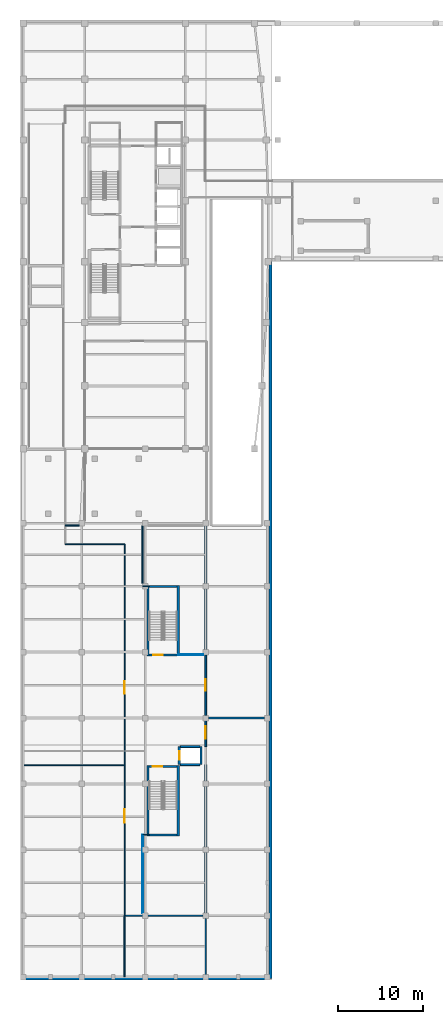
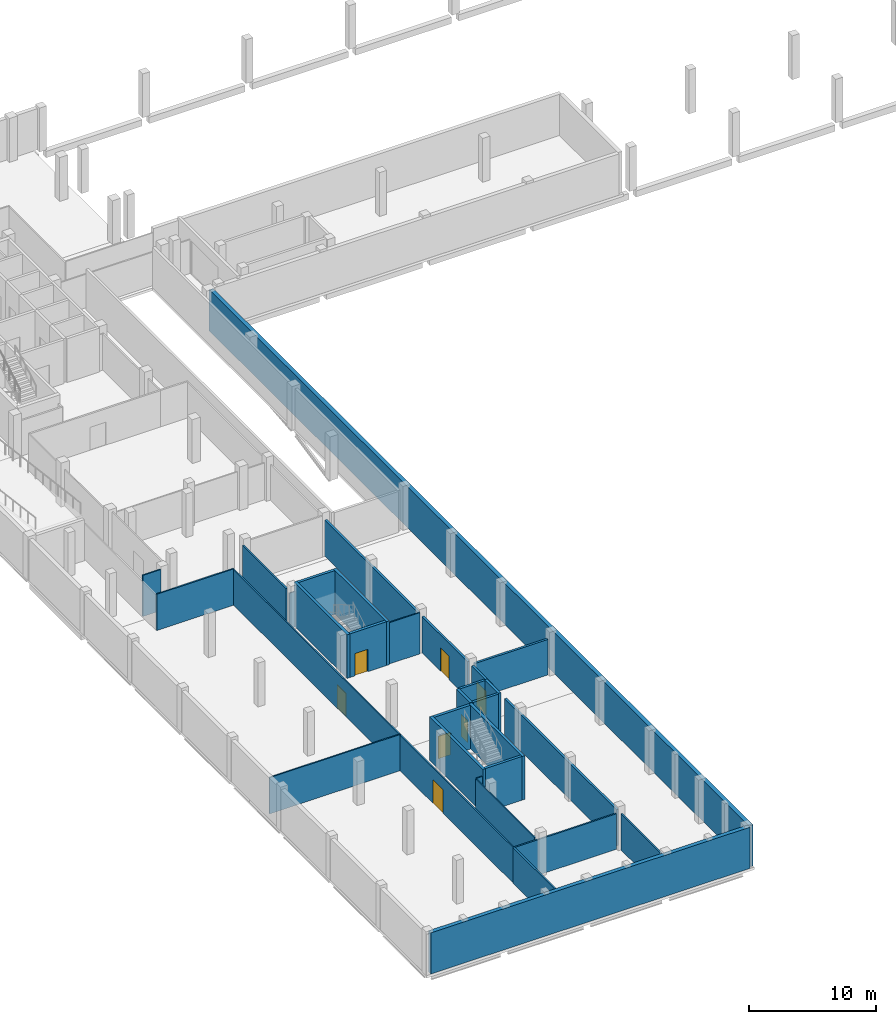
# One storey, part 5 of 15: 32 walls, 7 doors, 7 openings.
"""IFC4 building model written with IfcOpenShell, lengths in metres."""

from ifc_helpers import new_model, si_unit, direction, frame, frame_2d, origin, place, context, subcontext, project, spatial, rectangle, extrude, material, layer, layer_set, type_object, element, fill, save


model = new_model("IFC4")

# Units and contexts
model_context = context("Model", 3, precision=1e-05, world=origin(), true_north=direction((0.0, 1.0)))
body_context = subcontext(model_context, "Body", "Model", "MODEL_VIEW")
ifc_project = project(units=[si_unit("LENGTHUNIT", "METRE"), si_unit("AREAUNIT", "SQUARE_METRE"), si_unit("VOLUMEUNIT", "CUBIC_METRE"), si_unit("PLANEANGLEUNIT", "RADIAN"), si_unit("MASSUNIT", "GRAM", prefix="KILO")], contexts=[model_context])

# Site, building, storey
site_placement = place(None, origin())
site = spatial("IfcSite", under=ifc_project, at=site_placement, CompositionType="ELEMENT")
building_placement = place(site_placement, origin())
building = spatial("IfcBuilding", under=site, at=building_placement, Name="Quillay Park Conservatory", CompositionType="ELEMENT")
storey_placement = place(building_placement, frame((0.0, 0.0, -4.199951171875)))
storey = spatial("IfcBuildingStorey", under=building, at=storey_placement, Name="B1", CompositionType="ELEMENT", Elevation=-4.199951171875)

# Walls
ifc_material_1 = material(Name="Steel-Stud Acoustic Gypsum Board Partition", Category="steel")
ifc_layer_1 = layer(ifc_material_1, 0.10009765625)
ifc_layer_set_1 = layer_set([ifc_layer_1], Name="ACOUSTIC GYPSUM PARTITION 100 (Steel-Stud Acoustic Gypsum Board Partition)")
wall_type_1 = type_object("IfcWallType", Name="ACOUSTIC GYPSUM PARTITION 100", PredefinedType="PARTITIONING", material=ifc_layer_set_1)
wall_1_placement = place(storey_placement, frame((14.679931640625, 46.780029296875, 0.0), z_axis=(0.0, 0.0, 1.0), x_axis=(1.0, 0.0, 0.0)))
element("IfcWall", 1, at=wall_1_placement, inside=storey, type_object=wall_type_1, Name="B1 South Spine ST-V2 Closure", PredefinedType="PARTITIONING", context=body_context, shape_type="SweptSolid", body=[
    extrude(rectangle(XDim=0.77001953125, YDim=0.10009765625, at=frame_2d((0.385009765625, 0.0))), origin(), (0.0, 0.0, 1.0), 3.40087890625),
])
ifc_material_2 = material(Name="Steel-Stud Acoustic Gypsum Board Partition", Category="steel")
ifc_layer_2 = layer(ifc_material_2, 0.10498046875)
ifc_layer_set_2 = layer_set([ifc_layer_2], Name="ACOUSTIC GYPSUM PARTITION 105 (Steel-Stud Acoustic Gypsum Board Partition)")
wall_type_2 = type_object("IfcWallType", Name="ACOUSTIC GYPSUM PARTITION 105", PredefinedType="PARTITIONING", material=ifc_layer_set_2)
wall_2_placement = place(storey_placement, frame((14.679931640625, 17.3798828125, 0.0), z_axis=(0.0, 0.0, 1.0), x_axis=(1.0, 0.0, 0.0)))
element("IfcWall", 2, at=wall_2_placement, inside=storey, type_object=wall_type_2, Name="B1 South Spine ST-V1 Closure", PredefinedType="PARTITIONING", context=body_context, shape_type="SweptSolid", body=[
    extrude(rectangle(XDim=0.77001953125, YDim=0.10498046875, at=frame_2d((0.385009765625, 0.0))), origin(), (0.0, 0.0, 1.0), 3.47705078125),
])
ifc_material_3 = material(Name="Steel-Stud Acoustic Gypsum Board Partition", Category="steel")
ifc_layer_3 = layer(ifc_material_3, 0.110107421875)
ifc_layer_set_3 = layer_set([ifc_layer_3], Name="ACOUSTIC GYPSUM PARTITION 110 (Steel-Stud Acoustic Gypsum Board Partition)")
wall_type_3 = type_object("IfcWallType", Name="ACOUSTIC GYPSUM PARTITION 110", PredefinedType="PARTITIONING", material=ifc_layer_set_3)
wall_3_placement = place(storey_placement, frame((14.679931640625, 8.1201171875, 0.0), z_axis=(0.0, 0.0, 1.0), x_axis=(0.0, 1.0, 0.0)))
element("IfcWall", 3, at=wall_3_placement, inside=storey, type_object=wall_type_3, Name="B1 South Spine East Wall 1", PredefinedType="PARTITIONING", context=body_context, shape_type="SweptSolid", body=[
    extrude(rectangle(XDim=9.259765625, YDim=0.110107421875, at=frame_2d((4.6298828125, 0.0))), origin(), (0.0, 0.0, 1.0), 3.40087890625),
])
ifc_material_4 = material(Name="Steel-Stud Acoustic Gypsum Board Partition", Category="steel")
ifc_layer_4 = layer(ifc_material_4, 0.114990234375)
ifc_layer_set_4 = layer_set([ifc_layer_4], Name="ACOUSTIC GYPSUM PARTITION 115 (Steel-Stud Acoustic Gypsum Board Partition)")
wall_type_4 = type_object("IfcWallType", Name="ACOUSTIC GYPSUM PARTITION 115", PredefinedType="PARTITIONING", material=ifc_layer_set_4)
wall_4_placement = place(storey_placement, frame((18.89990234375, 38.679931640625, 0.0), z_axis=(0.0, 0.0, 1.0), x_axis=(1.0, 0.0, 0.0)))
element("IfcWall", 4, at=wall_4_placement, inside=storey, type_object=wall_type_4, Name="B1 V3 Lobby North Closure", PredefinedType="PARTITIONING", context=body_context, shape_type="SweptSolid", body=[
    extrude(rectangle(XDim=2.93017578125, YDim=0.114990234375, at=frame_2d((1.465087890625, 0.0))), origin(), (0.0, 0.0, 1.0), 3.949951171875),
])

# Wall, opening, door
wall_5_placement = place(storey_placement, frame((12.550048828125, 51.780029296875, 0.0), z_axis=(0.0, 0.0, 1.0), x_axis=(0.0, -1.0, 0.0)))
wall_5 = element("IfcWall", 5, at=wall_5_placement, inside=storey, type_object=wall_type_4, Name="B1 IPM East Door Wall", PredefinedType="PARTITIONING", context=body_context, shape_type="SweptSolid", body=[
    extrude(rectangle(XDim=26.179931640625, YDim=0.114990234375, at=frame_2d((13.08984375, 0.0))), origin(), (0.0, 0.0, 1.0), 3.40087890625),
])
opening_1_placement = place(wall_5_placement, frame((16.2548828125, 0.0, 0.0)))
opening_1 = element("IfcOpeningElement", 6, at=opening_1_placement, cuts=wall_5, Name="Opening D-PL01", PredefinedType="OPENING", context=body_context, shape_type="SweptSolid", body=[
    extrude(rectangle(XDim=1.449951171875, YDim=2.199951171875, at=frame_2d((0.72509765625, 1.10009765625))), frame((0.0, 0.0576171875, 0.0), z_axis=(0.0, -1.0, 0.0), x_axis=(1.0, 0.0, 0.0)), (0.0, 0.0, 1.0), 0.114990234375),
])
ifc_material_5 = material(Name="Steel ASTM A572 Grade 50", Category="steel")
door_type_1 = type_object("IfcDoorType", Name="FIRE RATED PLANT DOOR 1450 X2200", OperationType="NOTDEFINED", PredefinedType="DOOR", material=ifc_material_5)
door_1_placement = place(opening_1_placement, origin())
door_1 = element("IfcDoor", 7, at=door_1_placement, inside=storey, type_object=door_type_1, Name="B1 Door to B1 Specimen Quarantine and IPM Freezer Suite", OperationType="SINGLE_SWING_LEFT", OverallHeight=2.199951171875, OverallWidth=1.449951171875, PredefinedType="DOOR", context=body_context, shape_type="SweptSolid", body=[
    extrude(rectangle(XDim=1.449951171875, YDim=2.199951171875, at=frame_2d((0.72509765625, 1.10009765625))), frame((0.0, 0.02490234375, 0.0), z_axis=(0.0, -1.0, 0.0), x_axis=(1.0, 0.0, 0.0)), (0.0, 0.0, 1.0), 0.050048828125),
])
fill(opening_1, door_1)

# Walls
ifc_material_6 = material(Name="Steel-Stud Acoustic Gypsum Board Partition", Category="steel")
ifc_layer_5 = layer(ifc_material_6, 0.1201171875)
ifc_layer_set_5 = layer_set([ifc_layer_5], Name="ACOUSTIC GYPSUM PARTITION 120 (Steel-Stud Acoustic Gypsum Board Partition)")
wall_type_5 = type_object("IfcWallType", Name="ACOUSTIC GYPSUM PARTITION 120", PredefinedType="PARTITIONING", material=ifc_layer_set_5)
wall_6_placement = place(storey_placement, frame((0.64990234375, 25.60009765625, 0.0), z_axis=(0.0, 0.0, 1.0), x_axis=(1.0, 0.0, 0.0)))
element("IfcWall", 8, at=wall_6_placement, inside=storey, type_object=wall_type_5, Name="B1 Seed1-IPM Divider", PredefinedType="PARTITIONING", context=body_context, shape_type="SweptSolid", body=[
    extrude(rectangle(XDim=11.900146484375, YDim=0.1201171875, at=frame_2d((5.9501953125, 0.0))), origin(), (0.0, 0.0, 1.0), 3.47705078125),
])
ifc_material_7 = material(Name="Steel-Stud Acoustic Gypsum Board Partition", Category="steel")
ifc_layer_6 = layer(ifc_material_7, 0.125)
ifc_layer_set_6 = layer_set([ifc_layer_6], Name="ACOUSTIC GYPSUM PARTITION 125 (Steel-Stud Acoustic Gypsum Board Partition)")
wall_type_6 = type_object("IfcWallType", Name="ACOUSTIC GYPSUM PARTITION 125", PredefinedType="PARTITIONING", material=ifc_layer_set_6)
wall_7_placement = place(storey_placement, frame((5.550048828125, 53.97998046875, 0.0), z_axis=(0.0, 0.0, 1.0), x_axis=(1.0, 0.0, 0.0)))
element("IfcWall", 9, at=wall_7_placement, inside=storey, type_object=wall_type_6, Name="B1 Cross-Link North-West Wall", PredefinedType="PARTITIONING", context=body_context, shape_type="SweptSolid", body=[
    extrude(rectangle(XDim=1.6298828125, YDim=0.125, at=frame_2d((0.81494140625, 0.0))), origin(), (0.0, 0.0, 1.0), 3.949951171875),
])

# Wall, opening, door
wall_8_placement = place(storey_placement, frame((12.550048828125, 25.60009765625, 0.0), z_axis=(0.0, 0.0, 1.0), x_axis=(0.0, -1.0, 0.0)))
wall_8 = element("IfcWall", 10, at=wall_8_placement, inside=storey, type_object=wall_type_6, Name="B1 Seed1 East Door Wall", PredefinedType="PARTITIONING", context=body_context, shape_type="SweptSolid", body=[
    extrude(rectangle(XDim=17.800048828125, YDim=0.125, at=frame_2d((8.89990234375, 0.0))), origin(), (0.0, 0.0, 1.0), 3.40087890625),
])
opening_2_placement = place(wall_8_placement, frame((5.199951171875, 0.0, 0.0)))
opening_2 = element("IfcOpeningElement", 11, at=opening_2_placement, cuts=wall_8, Name="Opening D-PL02", PredefinedType="OPENING", context=body_context, shape_type="SweptSolid", body=[
    extrude(rectangle(XDim=1.60009765625, YDim=2.25, at=frame_2d((0.800048828125, 1.125))), frame((0.0, 0.0625, 0.0), z_axis=(0.0, -1.0, 0.0), x_axis=(1.0, 0.0, 0.0)), (0.0, 0.0, 1.0), 0.125),
])
ifc_material_8 = material(Name="Steel ASTM A572 Grade 50", Category="steel")
door_type_2 = type_object("IfcDoorType", Name="FIRE RATED PLANT DOOR 1600 X2250", OperationType="NOTDEFINED", PredefinedType="DOOR", material=ifc_material_8)
door_2_placement = place(opening_2_placement, origin())
door_2 = element("IfcDoor", 12, at=door_2_placement, inside=storey, type_object=door_type_2, Name="B1 Door to B1 Active Seed Bank Cold Vault", OperationType="SINGLE_SWING_RIGHT", OverallHeight=2.25, OverallWidth=1.60009765625, PredefinedType="DOOR", context=body_context, shape_type="SweptSolid", body=[
    extrude(rectangle(XDim=1.60009765625, YDim=2.25, at=frame_2d((0.800048828125, 1.125))), frame((0.0, 0.02490234375, 0.0), z_axis=(0.0, -1.0, 0.0), x_axis=(1.0, 0.0, 0.0)), (0.0, 0.0, 1.0), 0.050048828125),
])
fill(opening_2, door_2)

# Walls
ifc_material_9 = material(Name="Steel-Stud Acoustic Gypsum Board Partition", Category="steel")
ifc_layer_7 = layer(ifc_material_9, 0.1298828125)
ifc_layer_set_7 = layer_set([ifc_layer_7], Name="ACOUSTIC GYPSUM PARTITION 130 (Steel-Stud Acoustic Gypsum Board Partition)")
wall_type_7 = type_object("IfcWallType", Name="ACOUSTIC GYPSUM PARTITION 130", PredefinedType="PARTITIONING", material=ifc_layer_set_7)
wall_9_placement = place(storey_placement, frame((5.550048828125, 51.780029296875, 0.0), z_axis=(0.0, 0.0, 1.0), x_axis=(1.0, 0.0, 0.0)))
element("IfcWall", 13, at=wall_9_placement, inside=storey, type_object=wall_type_7, Name="B1 Cross-Link South Wall", PredefinedType="PARTITIONING", context=body_context, shape_type="SweptSolid", body=[
    extrude(rectangle(XDim=7.0, YDim=0.1298828125, at=frame_2d((3.5, 0.0))), origin(), (0.0, 0.0, 1.0), 3.47705078125),
])
wall_10_placement = place(storey_placement, frame((22.14990234375, 0.60009765625, 0.0), z_axis=(0.0, 0.0, 1.0), x_axis=(0.0, 1.0, 0.0)))
element("IfcWall", 14, at=wall_10_placement, inside=storey, type_object=wall_type_7, Name="B1 HerbPrep West Wall S", PredefinedType="PARTITIONING", context=body_context, shape_type="SweptSolid", body=[
    extrude(rectangle(XDim=6.8798828125, YDim=0.1298828125, at=frame_2d((3.43994140625, 0.0))), origin(), (0.0, 0.0, 1.0), 3.47705078125),
])
ifc_material_10 = material(Name="Steel-Stud Acoustic Gypsum Board Partition", Category="steel")
ifc_layer_8 = layer(ifc_material_10, 0.139892578125)
ifc_layer_set_8 = layer_set([ifc_layer_8], Name="ACOUSTIC GYPSUM PARTITION 140 (Steel-Stud Acoustic Gypsum Board Partition)")
wall_type_8 = type_object("IfcWallType", Name="ACOUSTIC GYPSUM PARTITION 140", PredefinedType="PARTITIONING", material=ifc_layer_set_8)
wall_11_placement = place(storey_placement, frame((12.550048828125, 7.800048828125, 0.0), z_axis=(0.0, 0.0, 1.0), x_axis=(1.0, 0.0, 0.0)))
element("IfcWall", 15, at=wall_11_placement, inside=storey, type_object=wall_type_8, Name="B1 Spine South End Closure", PredefinedType="PARTITIONING", context=body_context, shape_type="SweptSolid", body=[
    extrude(rectangle(XDim=9.280029296875, YDim=0.139892578125, at=frame_2d((4.64013671875, 0.0))), origin(), (0.0, 0.0, 1.0), 3.40087890625),
])
ifc_material_11 = material(Name="Steel-Stud Acoustic Gypsum Board Partition", Category="steel")
ifc_layer_9 = layer(ifc_material_11, 0.14990234375)
ifc_layer_set_9 = layer_set([ifc_layer_9], Name="ACOUSTIC GYPSUM PARTITION 150 (Steel-Stud Acoustic Gypsum Board Partition)")
wall_type_9 = type_object("IfcWallType", Name="ACOUSTIC GYPSUM PARTITION 150", PredefinedType="PARTITIONING", material=ifc_layer_set_9)
wall_12_placement = place(storey_placement, frame((14.679931640625, 53.97998046875, 0.0), z_axis=(0.0, 0.0, 1.0), x_axis=(0.0, -1.0, 0.0)))
element("IfcWall", 16, at=wall_12_placement, inside=storey, type_object=wall_type_9, Name="B1 South Spine East Wall 2", PredefinedType="PARTITIONING", context=body_context, shape_type="SweptSolid", body=[
    extrude(rectangle(XDim=6.85986328125, YDim=0.14990234375, at=frame_2d((3.429931640625, 0.0))), origin(), (0.0, 0.0, 1.0), 3.626953125),
])
wall_13_placement = place(storey_placement, frame((12.550048828125, 0.60009765625, 0.0), z_axis=(0.0, 0.0, 1.0), x_axis=(0.0, 1.0, 0.0)))
element("IfcWall", 17, at=wall_13_placement, inside=storey, type_object=wall_type_9, Name="B1 Seed1 East Wall S", PredefinedType="PARTITIONING", context=body_context, shape_type="SweptSolid", body=[
    extrude(rectangle(XDim=7.199951171875, YDim=0.14990234375, at=frame_2d((3.60009765625, 0.0))), origin(), (0.0, 0.0, 1.0), 3.40087890625),
])
ifc_material_12 = material(Name="Concrete C35/45 (NCh170 Concrete C35/45)", Category="concrete")
ifc_layer_10 = layer(ifc_material_12, 0.22509765625)
ifc_layer_set_10 = layer_set([ifc_layer_10], Name="CORE SHEAR WALL 225 (Concrete C35/45 (NCh170 Concrete C35/45))")
wall_type_10 = type_object("IfcWallType", Name="CORE SHEAR WALL 225", PredefinedType="SHEAR", material=ifc_layer_set_10)
for number, where, z_axis, x_axis, name in (
    (18, (19.14990234375, 25.6875, 0.0), (0.0, 0.0, 1.0), (1.0, 0.0, 0.0), "B1 Core Shear Wall WL-LFV1S-B1"),
    (19, (19.14990234375, 27.8125, 0.0), (0.0, 0.0, 1.0), (1.0, 0.0, 0.0), "B1 Core Shear Wall WL-LFV1N-B1"),
):
    element("IfcWall", number, at=place(storey_placement, frame(where, z_axis=z_axis, x_axis=x_axis)), inside=storey, type_object=wall_type_10, Name=name, PredefinedType="SHEAR", context=body_context, shape_type="SweptSolid", body=[
        extrude(rectangle(XDim=2.300048828125, YDim=0.22509765625, at=frame_2d((1.14990234375, 0.0))), origin(), (0.0, 0.0, 1.0), 4.199951171875),
    ])
ifc_material_13 = material(Name="Concrete C40/50 (NCh170 Concrete C40/50)", Category="concrete")
ifc_layer_11 = layer(ifc_material_13, 0.25)
ifc_layer_set_11 = layer_set([ifc_layer_11], Name="CORE SHEAR WALL 250 (Concrete C40/50 (NCh170 Concrete C40/50))")
wall_type_11 = type_object("IfcWallType", Name="CORE SHEAR WALL 250", PredefinedType="SHEAR", material=ifc_layer_set_11)
for number, where, z_axis, x_axis, name in (
    (20, (15.324951171875, 17.25, 0.0), (0.0, 0.0, 1.0), (0.0, 1.0, 0.0), "B1 Core Shear Wall WL-V1W-B1"),
    (21, (18.89501953125, 17.25, 0.0), (0.0, 0.0, 1.0), (0.0, 1.0, 0.0), "B1 Core Shear Wall WL-V1E-B1"),
):
    element("IfcWall", number, at=place(storey_placement, frame(where, z_axis=z_axis, x_axis=x_axis)), inside=storey, type_object=wall_type_11, Name=name, PredefinedType="SHEAR", context=body_context, shape_type="SweptSolid", body=[
        extrude(rectangle(XDim=8.35009765625, YDim=0.25, at=frame_2d((4.175048828125, 0.0))), origin(), (0.0, 0.0, 1.0), 4.199951171875),
    ])
wall_14_placement = place(storey_placement, frame((15.449951171875, 17.375, 0.0), z_axis=(0.0, 0.0, 1.0), x_axis=(1.0, 0.0, 0.0)))
element("IfcWall", 22, at=wall_14_placement, inside=storey, type_object=wall_type_11, Name="B1 Core Shear Wall WL-V1S-B1", PredefinedType="SHEAR", context=body_context, shape_type="SweptSolid", body=[
    extrude(rectangle(XDim=3.320068359375, YDim=0.25, at=frame_2d((1.66015625, 0.0))), origin(), (0.0, 0.0, 1.0), 4.199951171875),
])

# Wall, opening, door
wall_15_placement = place(storey_placement, frame((15.449951171875, 25.47509765625, 0.0), z_axis=(0.0, 0.0, 1.0), x_axis=(1.0, 0.0, 0.0)))
wall_15 = element("IfcWall", 23, at=wall_15_placement, inside=storey, type_object=wall_type_11, Name="B1 Core Shear Wall WL-V1D-B1", PredefinedType="SHEAR", context=body_context, shape_type="SweptSolid", body=[
    extrude(rectangle(XDim=3.320068359375, YDim=0.25, at=frame_2d((1.66015625, 0.0))), origin(), (0.0, 0.0, 1.0), 4.199951171875),
])
opening_3_placement = place(wall_15_placement, frame((0.449951171875, 0.0, 0.0)))
opening_3 = element("IfcOpeningElement", 24, at=opening_3_placement, cuts=wall_15, Name="Opening D-ST01", PredefinedType="OPENING", context=body_context, shape_type="SweptSolid", body=[
    extrude(rectangle(XDim=1.10009765625, YDim=2.14990234375, at=frame_2d((0.550048828125, 1.074951171875))), frame((0.0, 0.125, 0.0), z_axis=(0.0, -1.0, 0.0), x_axis=(1.0, 0.0, 0.0)), (0.0, 0.0, 1.0), 0.25),
])
ifc_material_14 = material(Name="Steel ASTM A572 Grade 50", Category="steel")
door_type_3 = type_object("IfcDoorType", Name="FIRE RATED STAIR DOOR 1100 X2150", OperationType="NOTDEFINED", PredefinedType="DOOR", material=ifc_material_14)
door_3_placement = place(opening_3_placement, origin())
door_3 = element("IfcDoor", 25, at=door_3_placement, inside=storey, type_object=door_type_3, Name="B1 Visitor Stair ST-V1 Door", OperationType="SINGLE_SWING_LEFT", OverallHeight=2.14990234375, OverallWidth=1.10009765625, PredefinedType="DOOR", context=body_context, shape_type="SweptSolid", body=[
    extrude(rectangle(XDim=1.10009765625, YDim=2.14990234375, at=frame_2d((0.550048828125, 1.074951171875))), frame((0.0, 0.02490234375, 0.0), z_axis=(0.0, -1.0, 0.0), x_axis=(1.0, 0.0, 0.0)), (0.0, 0.0, 1.0), 0.050048828125),
])
fill(opening_3, door_3)

# Walls
for number, where, z_axis, x_axis, name in (
    (26, (15.324951171875, 38.550048828125, 0.0), (0.0, 0.0, 1.0), (0.0, 1.0, 0.0), "B1 Core Shear Wall WL-V2W-B1"),
    (27, (18.89501953125, 38.550048828125, 0.0), (0.0, 0.0, 1.0), (0.0, 1.0, 0.0), "B1 Core Shear Wall WL-V2E-B1"),
):
    element("IfcWall", number, at=place(storey_placement, frame(where, z_axis=z_axis, x_axis=x_axis)), inside=storey, type_object=wall_type_11, Name=name, PredefinedType="SHEAR", context=body_context, shape_type="SweptSolid", body=[
        extrude(rectangle(XDim=8.349853515625, YDim=0.25, at=frame_2d((4.1748046875, 0.0))), origin(), (0.0, 0.0, 1.0), 4.199951171875),
    ])
wall_16_placement = place(storey_placement, frame((15.449951171875, 46.77490234375, 0.0), z_axis=(0.0, 0.0, 1.0), x_axis=(1.0, 0.0, 0.0)))
element("IfcWall", 28, at=wall_16_placement, inside=storey, type_object=wall_type_11, Name="B1 Core Shear Wall WL-V2N-B1", PredefinedType="SHEAR", context=body_context, shape_type="SweptSolid", body=[
    extrude(rectangle(XDim=3.320068359375, YDim=0.25, at=frame_2d((1.66015625, 0.0))), origin(), (0.0, 0.0, 1.0), 4.199951171875),
])

# Wall, opening, door
wall_17_placement = place(storey_placement, frame((18.77001953125, 38.675048828125, 0.0), z_axis=(0.0, 0.0, 1.0), x_axis=(-1.0, 0.0, 0.0)))
wall_17 = element("IfcWall", 29, at=wall_17_placement, inside=storey, type_object=wall_type_11, Name="B1 Core Shear Wall WL-V2D-B1", PredefinedType="SHEAR", context=body_context, shape_type="SweptSolid", body=[
    extrude(rectangle(XDim=3.320068359375, YDim=0.25, at=frame_2d((1.66015625, 0.0))), origin(), (0.0, 0.0, 1.0), 4.199951171875),
])
opening_4_placement = place(wall_17_placement, frame((1.699951171875, 0.0, 0.0)))
opening_4 = element("IfcOpeningElement", 30, at=opening_4_placement, cuts=wall_17, Name="Opening D-ST02", PredefinedType="OPENING", context=body_context, shape_type="SweptSolid", body=[
    extrude(rectangle(XDim=1.14990234375, YDim=2.14990234375, at=frame_2d((0.574951171875, 1.074951171875))), frame((0.0, 0.125, 0.0), z_axis=(0.0, -1.0, 0.0), x_axis=(1.0, 0.0, 0.0)), (0.0, 0.0, 1.0), 0.25),
])
ifc_material_15 = material(Name="Steel ASTM A572 Grade 50", Category="steel")
door_type_4 = type_object("IfcDoorType", Name="FIRE RATED STAIR DOOR 1150 X2150", OperationType="NOTDEFINED", PredefinedType="DOOR", material=ifc_material_15)
door_4_placement = place(opening_4_placement, origin())
door_4 = element("IfcDoor", 31, at=door_4_placement, inside=storey, type_object=door_type_4, Name="B1 Visitor Stair ST-V2 Door", OperationType="SINGLE_SWING_RIGHT", OverallHeight=2.14990234375, OverallWidth=1.14990234375, PredefinedType="DOOR", context=body_context, shape_type="SweptSolid", body=[
    extrude(rectangle(XDim=1.14990234375, YDim=2.14990234375, at=frame_2d((0.574951171875, 1.074951171875))), frame((0.0, 0.02490234375, 0.0), z_axis=(0.0, -1.0, 0.0), x_axis=(1.0, 0.0, 0.0)), (0.0, 0.0, 1.0), 0.050048828125),
])
fill(opening_4, door_4)

# Wall
wall_18_placement = place(storey_placement, frame((21.574951171875, 25.675048828125, 0.0), z_axis=(0.0, 0.0, 1.0), x_axis=(0.0, 1.0, 0.0)))
element("IfcWall", 32, at=wall_18_placement, inside=storey, type_object=wall_type_11, Name="B1 Core Shear Wall WL-LFV1B-B1", PredefinedType="SHEAR", context=body_context, shape_type="SweptSolid", body=[
    extrude(rectangle(XDim=2.14990234375, YDim=0.25, at=frame_2d((1.074951171875, 0.0))), origin(), (0.0, 0.0, 1.0), 4.199951171875),
])

# Wall, opening, door
wall_19_placement = place(storey_placement, frame((19.02490234375, 25.675048828125, 0.0), z_axis=(0.0, 0.0, 1.0), x_axis=(0.0, 1.0, 0.0)))
wall_19 = element("IfcWall", 33, at=wall_19_placement, inside=storey, type_object=wall_type_11, Name="B1 Core Shear Wall WL-LFV1F-B1", PredefinedType="SHEAR", context=body_context, shape_type="SweptSolid", body=[
    extrude(rectangle(XDim=2.14990234375, YDim=0.25, at=frame_2d((1.074951171875, 0.0))), origin(), (0.0, 0.0, 1.0), 4.199951171875),
])
opening_5_placement = place(wall_19_placement, frame((0.574951171875, 0.0, 0.0)))
opening_5 = element("IfcOpeningElement", 34, at=opening_5_placement, cuts=wall_19, Name="Opening LD04", PredefinedType="OPENING", context=body_context, shape_type="SweptSolid", body=[
    extrude(rectangle(XDim=1.0, YDim=2.10009765625, at=frame_2d((0.5, 1.050048828125))), frame((0.0, 0.125, 0.0), z_axis=(0.0, -1.0, 0.0), x_axis=(1.0, 0.0, 0.0)), (0.0, 0.0, 1.0), 0.25),
])
ifc_material_16 = material(Name="Steel ASTM A572 Grade 50", Category="steel")
door_type_5 = type_object("IfcDoorType", Name="LIFT LANDING SLIDING DOOR 1000 X2100", OperationType="NOTDEFINED", PredefinedType="DOOR", material=ifc_material_16)
door_5_placement = place(opening_5_placement, origin())
door_5 = element("IfcDoor", 35, at=door_5_placement, inside=storey, type_object=door_type_5, Name="B1 LF-V1 Lift Landing Door LD04", OperationType="SLIDING_TO_LEFT", OverallHeight=2.10009765625, OverallWidth=1.0, PredefinedType="DOOR", context=body_context, shape_type="SweptSolid", body=[
    extrude(rectangle(XDim=1.0, YDim=2.10009765625, at=frame_2d((0.5, 1.050048828125))), frame((0.0, 0.02490234375, 0.0), z_axis=(0.0, -1.0, 0.0), x_axis=(1.0, 0.0, 0.0)), (0.0, 0.0, 1.0), 0.050048828125),
])
fill(opening_5, door_5)

# Walls
ifc_material_17 = material(Name="Concrete C35/45 (NCh170 Concrete C35/45)", Category="concrete")
ifc_layer_12 = layer(ifc_material_17, 0.360107421875)
ifc_layer_set_12 = layer_set([ifc_layer_12], Name="RETAINING WALL 360 (Concrete C35/45 (NCh170 Concrete C35/45))")
wall_type_12 = type_object("IfcWallType", Name="RETAINING WALL 360", PredefinedType="USERDEFINED", material=ifc_layer_set_12)
wall_20_placement = place(storey_placement, frame((29.800048828125, 85.199951171875, 0.0), z_axis=(0.0, 0.0, 1.0), x_axis=(0.0, -1.0, 0.0)))
element("IfcWall", 36, at=wall_20_placement, inside=storey, type_object=wall_type_12, Name="B1 Perimeter Retaining Wall 07", ObjectType="RETAINING WALL", PredefinedType="USERDEFINED", context=body_context, shape_type="SweptSolid", body=[
    extrude(rectangle(XDim=84.800048828125, YDim=0.360107421875, at=frame_2d((42.39990234375, 0.0))), origin(), (0.0, 0.0, 1.0), 3.949951171875),
])
wall_21_placement = place(storey_placement, frame((29.60009765625, 0.39990234375, 0.0), z_axis=(0.0, 0.0, 1.0), x_axis=(-1.0, 0.0, 0.0)))
element("IfcWall", 37, at=wall_21_placement, inside=storey, type_object=wall_type_12, Name="B1 Perimeter Retaining Wall 08", ObjectType="RETAINING WALL", PredefinedType="USERDEFINED", context=body_context, shape_type="SweptSolid", body=[
    extrude(rectangle(XDim=28.9501953125, YDim=0.360107421875, at=frame_2d((14.47509765625, 0.0))), origin(), (0.0, 0.0, 1.0), 3.949951171875),
])
ifc_material_18 = material(Name="Concrete C35/45 (NCh170 Concrete C35/45)", Category="concrete")
ifc_layer_13 = layer(ifc_material_18, 0.199951171875)
ifc_layer_set_13 = layer_set([ifc_layer_13], Name="SOLID VAULT WALL 200 (Concrete C35/45 (NCh170 Concrete C35/45))")
wall_type_13 = type_object("IfcWallType", Name="SOLID VAULT WALL 200", PredefinedType="SOLIDWALL", material=ifc_layer_set_13)
wall_22_placement = place(storey_placement, frame((22.14990234375, 8.1201171875, 0.0), z_axis=(0.0, 0.0, 1.0), x_axis=(0.0, 1.0, 0.0)))
element("IfcWall", 38, at=wall_22_placement, inside=storey, type_object=wall_type_13, Name="B1 East Vault South-West Wall", PredefinedType="SOLIDWALL", context=body_context, shape_type="SweptSolid", body=[
    extrude(rectangle(XDim=17.559814453125, YDim=0.199951171875, at=frame_2d((8.77978515625, 0.0))), origin(), (0.0, 0.0, 1.0), 3.47705078125),
])

# Wall, opening, door
wall_23_placement = place(storey_placement, frame((22.14990234375, 27.820068359375, 0.0), z_axis=(0.0, 0.0, 1.0), x_axis=(0.0, 1.0, 0.0)))
wall_23 = element("IfcWall", 39, at=wall_23_placement, inside=storey, type_object=wall_type_13, Name="B1 East Vault Mid-South Wall", PredefinedType="SOLIDWALL", context=body_context, shape_type="SweptSolid", body=[
    extrude(rectangle(XDim=3.059814453125, YDim=0.199951171875, at=frame_2d((1.52978515625, 0.0))), origin(), (0.0, 0.0, 1.0), 3.47705078125),
])
opening_6_placement = place(wall_23_placement, frame((0.89990234375, 0.0, 0.0)))
opening_6 = element("IfcOpeningElement", 40, at=opening_6_placement, cuts=wall_23, Name="Opening D-HB02", PredefinedType="OPENING", context=body_context, shape_type="SweptSolid", body=[
    extrude(rectangle(XDim=1.5, YDim=2.300048828125, at=frame_2d((0.75, 1.14990234375))), frame((0.0, 0.10009765625, 0.0), z_axis=(0.0, -1.0, 0.0), x_axis=(1.0, 0.0, 0.0)), (0.0, 0.0, 1.0), 0.199951171875),
])
ifc_material_19 = material(Name="Steel ASTM A572 Grade 50", Category="steel")
door_type_6 = type_object("IfcDoorType", Name="FIRE RATED VAULT DOOR 1500 X2300", OperationType="NOTDEFINED", PredefinedType="DOOR", material=ifc_material_19)
door_6_placement = place(opening_6_placement, origin())
door_6 = element("IfcDoor", 41, at=door_6_placement, inside=storey, type_object=door_type_6, Name="B1 Door to B1 Specimen Freeze-Drying Preparation Laboratory", OperationType="SINGLE_SWING_RIGHT", OverallHeight=2.300048828125, OverallWidth=1.5, PredefinedType="DOOR", context=body_context, shape_type="SweptSolid", body=[
    extrude(rectangle(XDim=1.5, YDim=2.300048828125, at=frame_2d((0.75, 1.14990234375))), frame((0.0, 0.02490234375, 0.0), z_axis=(0.0, -1.0, 0.0), x_axis=(1.0, 0.0, 0.0)), (0.0, 0.0, 1.0), 0.050048828125),
])
fill(opening_6, door_6)

wall_24_placement = place(storey_placement, frame((22.14990234375, 31.52001953125, 0.0), z_axis=(0.0, 0.0, 1.0), x_axis=(0.0, 1.0, 0.0)))
wall_24 = element("IfcWall", 42, at=wall_24_placement, inside=storey, type_object=wall_type_13, Name="B1 East Vault Mid-North Wall", PredefinedType="SOLIDWALL", context=body_context, shape_type="SweptSolid", body=[
    extrude(rectangle(XDim=7.159912109375, YDim=0.199951171875, at=frame_2d((3.580078125, 0.0))), origin(), (0.0, 0.0, 1.0), 3.47705078125),
])
opening_7_placement = place(wall_24_placement, frame((2.905029296875, 0.0, 0.0)))
opening_7 = element("IfcOpeningElement", 43, at=opening_7_placement, cuts=wall_24, Name="Opening D-HB01", PredefinedType="OPENING", context=body_context, shape_type="SweptSolid", body=[
    extrude(rectangle(XDim=1.35009765625, YDim=2.25, at=frame_2d((0.675048828125, 1.125))), frame((0.0, 0.10009765625, 0.0), z_axis=(0.0, -1.0, 0.0), x_axis=(1.0, 0.0, 0.0)), (0.0, 0.0, 1.0), 0.199951171875),
])
ifc_material_20 = material(Name="Steel ASTM A572 Grade 50", Category="steel")
door_type_7 = type_object("IfcDoorType", Name="FIRE RATED VAULT DOOR 1350 X2250", OperationType="NOTDEFINED", PredefinedType="DOOR", material=ifc_material_20)
door_7_placement = place(opening_7_placement, origin())
door_7 = element("IfcDoor", 44, at=door_7_placement, inside=storey, type_object=door_type_7, Name="B1 Door to B1 Duplicate Exchange Herbarium Store", OperationType="SINGLE_SWING_LEFT", OverallHeight=2.25, OverallWidth=1.35009765625, PredefinedType="DOOR", context=body_context, shape_type="SweptSolid", body=[
    extrude(rectangle(XDim=1.35009765625, YDim=2.25, at=frame_2d((0.675048828125, 1.125))), frame((0.0, 0.02490234375, 0.0), z_axis=(0.0, -1.0, 0.0), x_axis=(1.0, 0.0, 0.0)), (0.0, 0.0, 1.0), 0.050048828125),
])
fill(opening_7, door_7)

# Walls
wall_25_placement = place(storey_placement, frame((22.14990234375, 39.320068359375, 0.0), z_axis=(0.0, 0.0, 1.0), x_axis=(0.0, 1.0, 0.0)))
element("IfcWall", 45, at=wall_25_placement, inside=storey, type_object=wall_type_13, Name="B1 East Vault North-West Wall", PredefinedType="SOLIDWALL", context=body_context, shape_type="SweptSolid", body=[
    extrude(rectangle(XDim=14.6298828125, YDim=0.199951171875, at=frame_2d((7.31494140625, 0.0))), origin(), (0.0, 0.0, 1.0), 3.47705078125),
])
wall_26_placement = place(storey_placement, frame((29.1298828125, 31.199951171875, 0.0), z_axis=(0.0, 0.0, 1.0), x_axis=(-1.0, 0.0, 0.0)))
element("IfcWall", 46, at=wall_26_placement, inside=storey, type_object=wall_type_13, Name="B1 East Vault Divider", PredefinedType="SOLIDWALL", context=body_context, shape_type="SweptSolid", body=[
    extrude(rectangle(XDim=6.659912109375, YDim=0.199951171875, at=frame_2d((3.330078125, 0.0))), origin(), (0.0, 0.0, 1.0), 3.40087890625),
])

save(model, "model.ifc")
